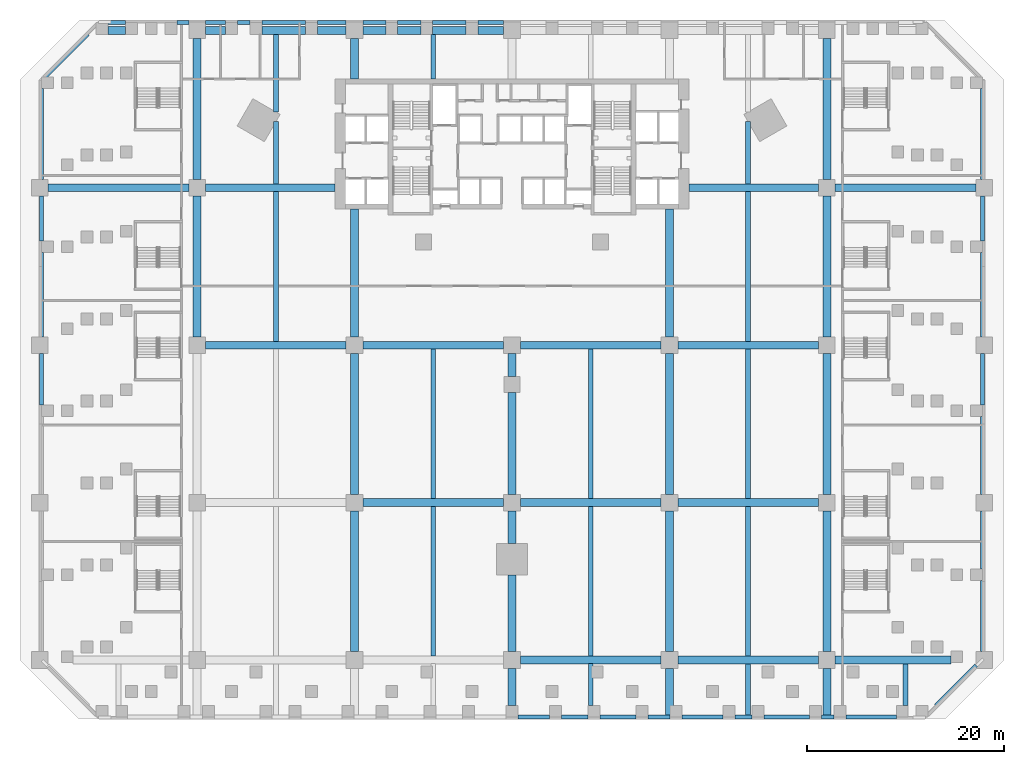
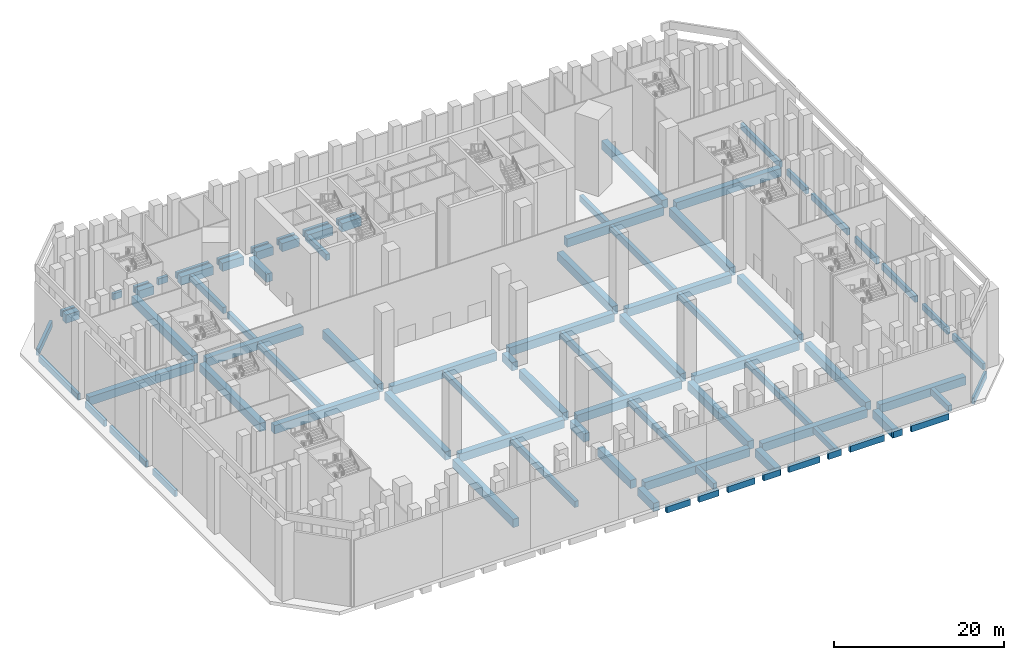
# One storey, part 2 of 31: 89 beams.
"""IFC4 building model written with IfcOpenShell, lengths in metres."""

import ifcopenshell
import ifcopenshell.guid

model = None  # the IFC model being written
_history = None  # IfcOwnerHistory: only IFC2X3 demands one
_inside = {}  # id of a spatial element -> (the spatial element, [elements in it])
_under = {}  # id of a project, library or spatial element -> (it, [spatial elements below it])
_declared = {}  # id of a project -> (the project, [libraries it declares])
_typed = {}  # id of a type object -> (the type object, [elements of that type])
_made_of = {}  # id of a material, layer set ... -> (it, [elements and type objects made of it])


def new_model(schema):
    """Start an empty IFC model of exactly this schema.

    Asked for "IFC4X3", IfcOpenShell would pick the latest addendum, in which some entities
    have other attributes; the version numbers below select the first issue.
    IFC2X3 requires an IfcOwnerHistory on every rooted entity: one is made here for all.
    """
    global model, _history
    if schema == "IFC4X3":
        model = ifcopenshell.file(schema_version=(4, 3, 0, 0))
    else:
        model = ifcopenshell.file(schema=schema)
    _inside.clear()
    _under.clear()
    _declared.clear()
    _typed.clear()
    _made_of.clear()
    _history = None
    if model.schema == "IFC2X3":
        org = make("IfcOrganization", Name="unknown")
        user = make(
            "IfcPersonAndOrganization",
            ThePerson=make("IfcPerson", FamilyName="unknown"),
            TheOrganization=org,
        )
        app = make(
            "IfcApplication",
            ApplicationDeveloper=org,
            Version="unknown",
            ApplicationFullName="unknown",
            ApplicationIdentifier="unknown",
        )
        _history = make(
            "IfcOwnerHistory",
            OwningUser=user,
            OwningApplication=app,
            ChangeAction="ADDED",
            CreationDate=0,
        )
    return model


def make(cls, **values):
    """One entity of the class cls with the attributes given. An attribute that is None is left unset."""
    return model.create_entity(
        cls, **{name: value for name, value in values.items() if value is not None}
    )


def rooted(cls, **values):
    """An entity with a GlobalId (a new one), such as an element, a storey or a relation."""
    return make(cls, GlobalId=ifcopenshell.guid.new(), OwnerHistory=_history, **values)


def si_unit(unit_type, name, prefix=None):
    """IfcSIUnit, for example si_unit("LENGTHUNIT", "METRE", prefix="MILLI")."""
    return make("IfcSIUnit", UnitType=unit_type, Prefix=prefix, Name=name)


def assignment(units):
    """IfcUnitAssignment: the units of a project."""
    return None if units is None else make("IfcUnitAssignment", Units=units)


def point(xyz):
    """IfcCartesianPoint."""
    return None if xyz is None else make("IfcCartesianPoint", Coordinates=xyz)


def direction(xyz):
    """IfcDirection."""
    return None if xyz is None else make("IfcDirection", DirectionRatios=xyz)


def frame(location, z_axis=None, x_axis=None):
    """IfcAxis2Placement3D, a coordinate frame: its origin and axes. An axis left out is left unset."""
    return make(
        "IfcAxis2Placement3D",
        Location=point(location),
        Axis=direction(z_axis),
        RefDirection=direction(x_axis),
    )


def frame_2d(location, x_axis=None):
    """IfcAxis2Placement2D, a coordinate frame in the plane: its origin and x axis."""
    return make(
        "IfcAxis2Placement2D", Location=point(location), RefDirection=direction(x_axis)
    )


def origin():
    """The frame at (0, 0, 0) with its axes left unset."""
    return frame((0.0, 0.0, 0.0))


def origin_2d():
    """The frame at (0, 0) in the plane with its x axis left unset."""
    return frame_2d((0.0, 0.0))


def place(relative_to, where):
    """IfcLocalPlacement: puts the frame where relative to a parent placement (None: the world)."""
    return make(
        "IfcLocalPlacement", PlacementRelTo=relative_to, RelativePlacement=where
    )


def context(
    kind, dimensions, precision=None, world=None, true_north=None, identifier=None
):
    """IfcGeometricRepresentationContext, for example the 3D "Model" context."""
    return make(
        "IfcGeometricRepresentationContext",
        ContextIdentifier=identifier,
        ContextType=kind,
        CoordinateSpaceDimension=dimensions,
        Precision=precision,
        WorldCoordinateSystem=world,
        TrueNorth=true_north,
    )


def subcontext(parent, identifier, kind, view, scale=None):
    """IfcGeometricRepresentationSubContext, for example "Body" below "Model"."""
    return make(
        "IfcGeometricRepresentationSubContext",
        ContextIdentifier=identifier,
        ContextType=kind,
        ParentContext=parent,
        TargetScale=scale,
        TargetView=view,
    )


def project(units=None, contexts=None):
    """IfcProject with its units and contexts."""
    return rooted(
        "IfcProject",
        Name="project",
        RepresentationContexts=contexts,
        UnitsInContext=assignment(units),
    )


def spatial(cls, under=None, at=None, **own):
    """A site, building, storey or space (cls), placed at a placement, below another one or the project."""
    s = rooted(cls, ObjectPlacement=at, **own)
    if under is not None:
        _under.setdefault(under.id(), (under, []))[1].append(s)
    return s


def profile(cls, at=None, kind="AREA", **sizes):
    """A parametric profile (cls). Its sizes go by their IFC names, for example OverallWidth=200.0."""
    return make(cls, ProfileType=kind, Position=at, **sizes)


def rectangle(**sizes):
    """IfcRectangleProfileDef."""
    return profile("IfcRectangleProfileDef", **sizes)


def extrude(swept, where, along, depth):
    """IfcExtrudedAreaSolid: the profile swept, set in the frame where, extruded along a direction by depth."""
    return make(
        "IfcExtrudedAreaSolid",
        SweptArea=swept,
        Position=where,
        ExtrudedDirection=direction(along),
        Depth=depth,
    )


def shape(context_of_items, identifier, shape_type, items):
    """IfcShapeRepresentation: the items that make up one representation, for example the "Body"."""
    return make(
        "IfcShapeRepresentation",
        ContextOfItems=context_of_items,
        RepresentationIdentifier=identifier,
        RepresentationType=shape_type,
        Items=items,
    )


def material(Name=None, Category=None):
    """IfcMaterial."""
    return make("IfcMaterial", Name=Name, Category=Category)


def material_profile(
    of_material, cross_section, Name=None, Category=None, Priority=None
):
    """IfcMaterialProfile: a cross section and its material."""
    return make(
        "IfcMaterialProfile",
        Name=Name,
        Material=of_material,
        Profile=cross_section,
        Priority=Priority,
        Category=Category,
    )


def profile_set(profiles, Name=None, composite=None):
    """IfcMaterialProfileSet."""
    return make(
        "IfcMaterialProfileSet",
        Name=Name,
        MaterialProfiles=profiles,
        CompositeProfile=composite,
    )


def made_of(thing, what):
    """Note that an element or type object is made of a material, layer set ...; save() writes the relation."""
    if what is not None:
        _made_of.setdefault(what.id(), (what, []))[1].append(thing)
    return thing


def type_object(cls, material=None, **own):
    """A type object (cls), such as IfcWallType, which elements share."""
    return made_of(rooted(cls, **own), material)


def element(
    cls,
    number,
    at=None,
    inside=None,
    cuts=None,
    type_object=None,
    material=None,
    context=None,
    identifier="Body",
    shape_type=None,
    held_by="IfcProductDefinitionShape",
    body=None,
    shapes=None,
    **own,
):
    """One element of the class cls, such as IfcWall. Its Tag is "e" and its number.

    at: its placement. inside: the storey or other place that contains it. cuts: it is an
    opening in that element (IfcRelVoidsElement). A single representation is given by context,
    identifier, shape_type and body (its items); several are given by shapes. held_by: the class
    of the entity that holds the representations. save() writes the other relations.
    """
    e = rooted(cls, Tag="e%d" % number, ObjectPlacement=at, **own)
    if body is not None:
        shapes = [shape(context, identifier, shape_type, body)]
    if shapes is not None:
        e.Representation = make(held_by, Representations=shapes)
    if inside is not None:
        _inside.setdefault(inside.id(), (inside, []))[1].append(e)
    if cuts is not None:
        rooted(
            "IfcRelVoidsElement", RelatingBuildingElement=cuts, RelatedOpeningElement=e
        )
    if type_object is not None:
        _typed.setdefault(type_object.id(), (type_object, []))[1].append(e)
    return made_of(e, material)


def aggregate(whole, parts):
    """IfcRelAggregates: a whole, such as a stair, and the parts it consists of."""
    return rooted("IfcRelAggregates", RelatingObject=whole, RelatedObjects=parts)


def save(model, path):
    """Write the relations noted so far, then the file.

    IfcRelAggregates (storeys below a building ...), IfcRelContainedInSpatialStructure (elements
    in a storey), IfcRelDefinesByType, IfcRelAssociatesMaterial and IfcRelDeclares: one each for
    every whole, place, type object, material and project.
    """
    for whole, parts in _under.values():
        aggregate(whole, parts)
    for where, things in _inside.values():
        rooted(
            "IfcRelContainedInSpatialStructure",
            RelatedElements=things,
            RelatingStructure=where,
        )
    for kind, things in _typed.values():
        rooted("IfcRelDefinesByType", RelatedObjects=things, RelatingType=kind)
    for what, things in _made_of.values():
        rooted("IfcRelAssociatesMaterial", RelatedObjects=things, RelatingMaterial=what)
    for by, libraries in _declared.values():
        rooted("IfcRelDeclares", RelatingContext=by, RelatedDefinitions=libraries)
    model.write(path)


model = new_model("IFC4")

# Units and contexts
model_context = context("Model", 3, precision=1e-05, world=origin(), true_north=direction((0.0, 1.0)))
body_context = subcontext(model_context, "Body", "Model", "MODEL_VIEW")
ifc_project = project(units=[si_unit("LENGTHUNIT", "METRE"), si_unit("AREAUNIT", "SQUARE_METRE"), si_unit("VOLUMEUNIT", "CUBIC_METRE"), si_unit("PLANEANGLEUNIT", "RADIAN"), si_unit("MASSUNIT", "GRAM", prefix="KILO")], contexts=[model_context])

# Site, building, storey
site_placement = place(None, origin())
site = spatial("IfcSite", under=ifc_project, at=site_placement, CompositionType="ELEMENT")
building_placement = place(site_placement, origin())
building = spatial("IfcBuilding", under=site, at=building_placement, Name="Calabash Gate Tower", CompositionType="ELEMENT")
storey_placement = place(building_placement, frame((0.0, 0.0, 9.0)))
storey = spatial("IfcBuildingStorey", under=building, at=storey_placement, Name="L01", CompositionType="ELEMENT", Elevation=9.0)

# Beams
ifc_material_1 = material(Name="Concrete C50/60", Category="concrete")
ifc_material_profile_1 = material_profile(ifc_material_1, rectangle(XDim=0.39990234375, YDim=0.89990234375, at=origin_2d()))
ifc_profile_set_1 = profile_set([ifc_material_profile_1], Name="Concrete C50/60")
beam_type_1 = type_object("IfcBeamType", Name="Edge beam RC 400x900 Concrete C50/60", PredefinedType="BEAM", material=ifc_profile_set_1)
beam_1_placement = place(storey_placement, frame((-47.800048828125, -14.06689453125, -0.949951171875), z_axis=(0.0, 1.0, 0.0), x_axis=(-1.0, 0.0, 0.0)))
element("IfcBeam", 1, at=beam_1_placement, inside=storey, type_object=beam_type_1, Name="Edge beam L01 5", PredefinedType="BEAM", context=body_context, shape_type="SweptSolid", body=[
    extrude(rectangle(XDim=0.39990234375, YDim=0.89990234375, at=origin_2d()), origin(), (0.0, 0.0, 1.0), 5.216796875),
])
beam_2_placement = place(storey_placement, frame((-47.800048828125, -7.14990234375, -0.949951171875), z_axis=(0.0, 1.0, 0.0), x_axis=(-1.0, 0.0, 0.0)))
element("IfcBeam", 2, at=beam_2_placement, inside=storey, type_object=beam_type_1, Name="Edge beam L01 6", PredefinedType="BEAM", context=body_context, shape_type="SweptSolid", body=[
    extrude(rectangle(XDim=0.39990234375, YDim=0.89990234375, at=origin_2d()), origin(), (0.0, 0.0, 1.0), 8.55078125),
])
beam_3_placement = place(storey_placement, frame((-47.800048828125, 2.60107421875, -0.949951171875), z_axis=(0.0, 1.0, 0.0), x_axis=(-1.0, 0.0, 0.0)))
element("IfcBeam", 3, at=beam_3_placement, inside=storey, type_object=beam_type_1, Name="Edge beam L01 7", PredefinedType="BEAM", context=body_context, shape_type="SweptSolid", body=[
    extrude(rectangle(XDim=0.39990234375, YDim=0.89990234375, at=origin_2d()), origin(), (0.0, 0.0, 1.0), 4.548828125),
])
beam_4_placement = place(storey_placement, frame((-47.800048828125, 8.85009765625, -0.949951171875), z_axis=(0.0, 1.0, 0.0), x_axis=(-1.0, 0.0, 0.0)))
element("IfcBeam", 4, at=beam_4_placement, inside=storey, type_object=beam_type_1, Name="Edge beam L01 8", PredefinedType="BEAM", context=body_context, shape_type="SweptSolid", body=[
    extrude(rectangle(XDim=0.39990234375, YDim=0.89990234375, at=origin_2d()), origin(), (0.0, 0.0, 1.0), 9.218994140625),
])
beam_5_placement = place(storey_placement, frame((-47.464111328125, 19.2529296875, -0.949951171875), z_axis=(0.707185774291, 0.707027779257, 0.0), x_axis=(-0.707027779257, 0.707185774291, 0.0)))
element("IfcBeam", 5, at=beam_5_placement, inside=storey, type_object=beam_type_1, Name="Edge beam L01 9", PredefinedType="BEAM", context=body_context, shape_type="SweptSolid", body=[
    extrude(rectangle(XDim=0.39990234375, YDim=0.89990234375, at=origin_2d()), origin(), (0.0, 0.0, 1.0), 6.180908203125),
])
beam_6_placement = place(storey_placement, frame((-41.069091796875, 24.800048828125, -0.949951171875), z_axis=(1.0, 0.0, 0.0), x_axis=(0.0, 1.0, 0.0)))
element("IfcBeam", 6, at=beam_6_placement, inside=storey, type_object=beam_type_1, Name="Edge beam L01 10", PredefinedType="BEAM", context=body_context, shape_type="SweptSolid", body=[
    extrude(rectangle(XDim=0.39990234375, YDim=0.89990234375, at=origin_2d()), origin(), (0.0, 0.0, 1.0), 1.800048828125),
])
beam_7_placement = place(storey_placement, frame((-34.069091796875, 24.800048828125, -0.949951171875), z_axis=(1.0, 0.0, 0.0), x_axis=(0.0, 1.0, 0.0)))
element("IfcBeam", 7, at=beam_7_placement, inside=storey, type_object=beam_type_1, Name="Edge beam L01 11", PredefinedType="BEAM", context=body_context, shape_type="SweptSolid", body=[
    extrude(rectangle(XDim=0.39990234375, YDim=0.89990234375, at=origin_2d()), origin(), (0.0, 0.0, 1.0), 1.218994140625),
])
beam_8_placement = place(storey_placement, frame((-31.14990234375, 24.800048828125, -0.949951171875), z_axis=(1.0, 0.0, 0.0), x_axis=(0.0, 1.0, 0.0)))
element("IfcBeam", 8, at=beam_8_placement, inside=storey, type_object=beam_type_1, Name="Edge beam L01 12", PredefinedType="BEAM", context=body_context, shape_type="SweptSolid", body=[
    extrude(rectangle(XDim=0.39990234375, YDim=0.89990234375, at=origin_2d()), origin(), (0.0, 0.0, 1.0), 2.02978515625),
])
beam_9_placement = place(storey_placement, frame((-27.919921875, 24.800048828125, -0.949951171875), z_axis=(1.0, 0.0, 0.0), x_axis=(0.0, 1.0, 0.0)))
element("IfcBeam", 9, at=beam_9_placement, inside=storey, type_object=beam_type_1, Name="Edge beam L01 13", PredefinedType="BEAM", context=body_context, shape_type="SweptSolid", body=[
    extrude(rectangle(XDim=0.39990234375, YDim=0.89990234375, at=origin_2d()), origin(), (0.0, 0.0, 1.0), 1.31787109375),
])
beam_10_placement = place(storey_placement, frame((-25.40087890625, 24.800048828125, -0.949951171875), z_axis=(1.0, 0.0, 0.0), x_axis=(0.0, 1.0, 0.0)))
element("IfcBeam", 10, at=beam_10_placement, inside=storey, type_object=beam_type_1, Name="Edge beam L01 14", PredefinedType="BEAM", context=body_context, shape_type="SweptSolid", body=[
    extrude(rectangle(XDim=0.39990234375, YDim=0.89990234375, at=origin_2d()), origin(), (0.0, 0.0, 1.0), 4.428955078125),
])
beam_11_placement = place(storey_placement, frame((-19.77099609375, 24.800048828125, -0.949951171875), z_axis=(1.0, 0.0, 0.0), x_axis=(0.0, 1.0, 0.0)))
element("IfcBeam", 11, at=beam_11_placement, inside=storey, type_object=beam_type_1, Name="Edge beam L01 15", PredefinedType="BEAM", context=body_context, shape_type="SweptSolid", body=[
    extrude(rectangle(XDim=0.39990234375, YDim=0.89990234375, at=origin_2d()), origin(), (0.0, 0.0, 1.0), 2.9208984375),
])
beam_12_placement = place(storey_placement, frame((-15.14990234375, 24.800048828125, -0.949951171875), z_axis=(1.0, 0.0, 0.0), x_axis=(0.0, 1.0, 0.0)))
element("IfcBeam", 12, at=beam_12_placement, inside=storey, type_object=beam_type_1, Name="Edge beam L01 16", PredefinedType="BEAM", context=body_context, shape_type="SweptSolid", body=[
    extrude(rectangle(XDim=0.39990234375, YDim=0.89990234375, at=origin_2d()), origin(), (0.0, 0.0, 1.0), 2.326904296875),
])
beam_13_placement = place(storey_placement, frame((-11.623046875, 24.800048828125, -0.949951171875), z_axis=(1.0, 0.0, 0.0), x_axis=(0.0, 1.0, 0.0)))
element("IfcBeam", 13, at=beam_13_placement, inside=storey, type_object=beam_type_1, Name="Edge beam L01 17", PredefinedType="BEAM", context=body_context, shape_type="SweptSolid", body=[
    extrude(rectangle(XDim=0.39990234375, YDim=0.89990234375, at=origin_2d()), origin(), (0.0, 0.0, 1.0), 2.35595703125),
])
beam_14_placement = place(storey_placement, frame((-8.06689453125, 24.800048828125, -0.949951171875), z_axis=(1.0, 0.0, 0.0), x_axis=(0.0, 1.0, 0.0)))
element("IfcBeam", 14, at=beam_14_placement, inside=storey, type_object=beam_type_1, Name="Edge beam L01 18", PredefinedType="BEAM", context=body_context, shape_type="SweptSolid", body=[
    extrude(rectangle(XDim=0.39990234375, YDim=0.89990234375, at=origin_2d()), origin(), (0.0, 0.0, 1.0), 3.392822265625),
])
beam_15_placement = place(storey_placement, frame((-3.47412109375, 24.800048828125, -0.949951171875), z_axis=(1.0, 0.0, 0.0), x_axis=(0.0, 1.0, 0.0)))
element("IfcBeam", 15, at=beam_15_placement, inside=storey, type_object=beam_type_1, Name="Edge beam L01 19", PredefinedType="BEAM", context=body_context, shape_type="SweptSolid", body=[
    extrude(rectangle(XDim=0.39990234375, YDim=0.89990234375, at=origin_2d()), origin(), (0.0, 0.0, 1.0), 2.6240234375),
])
beam_16_placement = place(storey_placement, frame((47.800048828125, 18.069091796875, -0.949951171875), z_axis=(0.0, -1.0, 0.0), x_axis=(1.0, 0.0, 0.0)))
element("IfcBeam", 16, at=beam_16_placement, inside=storey, type_object=beam_type_1, Name="Edge beam L01 31", PredefinedType="BEAM", context=body_context, shape_type="SweptSolid", body=[
    extrude(rectangle(XDim=0.39990234375, YDim=0.89990234375, at=origin_2d()), origin(), (0.0, 0.0, 1.0), 9.218994140625),
])
beam_17_placement = place(storey_placement, frame((47.800048828125, 7.14990234375, -0.949951171875), z_axis=(0.0, -1.0, 0.0), x_axis=(1.0, 0.0, 0.0)))
element("IfcBeam", 17, at=beam_17_placement, inside=storey, type_object=beam_type_1, Name="Edge beam L01 32", PredefinedType="BEAM", context=body_context, shape_type="SweptSolid", body=[
    extrude(rectangle(XDim=0.39990234375, YDim=0.89990234375, at=origin_2d()), origin(), (0.0, 0.0, 1.0), 4.548828125),
])
beam_18_placement = place(storey_placement, frame((47.800048828125, 1.40087890625, -0.949951171875), z_axis=(0.0, -1.0, 0.0), x_axis=(1.0, 0.0, 0.0)))
element("IfcBeam", 18, at=beam_18_placement, inside=storey, type_object=beam_type_1, Name="Edge beam L01 33", PredefinedType="BEAM", context=body_context, shape_type="SweptSolid", body=[
    extrude(rectangle(XDim=0.39990234375, YDim=0.89990234375, at=origin_2d()), origin(), (0.0, 0.0, 1.0), 8.55078125),
])
beam_19_placement = place(storey_placement, frame((47.800048828125, -8.85009765625, -0.949951171875), z_axis=(0.0, -1.0, 0.0), x_axis=(1.0, 0.0, 0.0)))
element("IfcBeam", 19, at=beam_19_placement, inside=storey, type_object=beam_type_1, Name="Edge beam L01 34", PredefinedType="BEAM", context=body_context, shape_type="SweptSolid", body=[
    extrude(rectangle(XDim=0.39990234375, YDim=0.89990234375, at=origin_2d()), origin(), (0.0, 0.0, 1.0), 5.216796875),
])
beam_20_placement = place(storey_placement, frame((47.800048828125, -15.26708984375, -0.949951171875), z_axis=(0.0, -1.0, 0.0), x_axis=(1.0, 0.0, 0.0)))
element("IfcBeam", 20, at=beam_20_placement, inside=storey, type_object=beam_type_1, Name="Edge beam L01 35", PredefinedType="BEAM", context=body_context, shape_type="SweptSolid", body=[
    extrude(rectangle(XDim=0.39990234375, YDim=0.89990234375, at=origin_2d()), origin(), (0.0, 0.0, 1.0), 7.8828125),
])
beam_21_placement = place(storey_placement, frame((47.800048828125, -24.85009765625, -0.949951171875), z_axis=(0.0, -1.0, 0.0), x_axis=(1.0, 0.0, 0.0)))
element("IfcBeam", 21, at=beam_21_placement, inside=storey, type_object=beam_type_1, Name="Edge beam L01 36", PredefinedType="BEAM", context=body_context, shape_type="SweptSolid", body=[
    extrude(rectangle(XDim=0.39990234375, YDim=0.89990234375, at=origin_2d()), origin(), (0.0, 0.0, 1.0), 5.8828125),
])
beam_22_placement = place(storey_placement, frame((47.800048828125, -31.93310546875, -0.949951171875), z_axis=(0.0, -1.0, 0.0), x_axis=(1.0, 0.0, 0.0)))
element("IfcBeam", 22, at=beam_22_placement, inside=storey, type_object=beam_type_1, Name="Edge beam L01 37", PredefinedType="BEAM", context=body_context, shape_type="SweptSolid", body=[
    extrude(rectangle(XDim=0.39990234375, YDim=0.89990234375, at=origin_2d()), origin(), (0.0, 0.0, 1.0), 7.216796875),
])
beam_23_placement = place(storey_placement, frame((47.173095703125, -40.54296875, -0.949951171875), z_axis=(-0.706768047457, -0.707445352726, 0.0), x_axis=(0.707445352726, -0.706768047457, 0.0)))
element("IfcBeam", 23, at=beam_23_placement, inside=storey, type_object=beam_type_1, Name="Edge beam L01 38", PredefinedType="BEAM", context=body_context, shape_type="SweptSolid", body=[
    extrude(rectangle(XDim=0.39990234375, YDim=0.89990234375, at=origin_2d()), origin(), (0.0, 0.0, 1.0), 5.767333984375),
])
beam_24_placement = place(storey_placement, frame((39.069091796875, -45.800048828125, -0.949951171875), z_axis=(-1.0, 0.0, 0.0), x_axis=(0.0, -1.0, 0.0)))
element("IfcBeam", 24, at=beam_24_placement, inside=storey, type_object=beam_type_1, Name="Edge beam L01 39", PredefinedType="BEAM", context=body_context, shape_type="SweptSolid", body=[
    extrude(rectangle(XDim=0.39990234375, YDim=0.89990234375, at=origin_2d()), origin(), (0.0, 0.0, 1.0), 5.132080078125),
])
beam_25_placement = place(storey_placement, frame((32.737060546875, -45.800048828125, -0.949951171875), z_axis=(-1.0, 0.0, 0.0), x_axis=(0.0, -1.0, 0.0)))
element("IfcBeam", 25, at=beam_25_placement, inside=storey, type_object=beam_type_1, Name="Edge beam L01 40", PredefinedType="BEAM", context=body_context, shape_type="SweptSolid", body=[
    extrude(rectangle(XDim=0.39990234375, YDim=0.89990234375, at=origin_2d()), origin(), (0.0, 0.0, 1.0), 1.2841796875),
])
beam_26_placement = place(storey_placement, frame((30.2529296875, -45.800048828125, -0.949951171875), z_axis=(-1.0, 0.0, 0.0), x_axis=(0.0, -1.0, 0.0)))
element("IfcBeam", 26, at=beam_26_placement, inside=storey, type_object=beam_type_1, Name="Edge beam L01 41", PredefinedType="BEAM", context=body_context, shape_type="SweptSolid", body=[
    extrude(rectangle(XDim=0.39990234375, YDim=0.89990234375, at=origin_2d()), origin(), (0.0, 0.0, 1.0), 4.65185546875),
])
beam_27_placement = place(storey_placement, frame((24.40087890625, -45.800048828125, -0.949951171875), z_axis=(-1.0, 0.0, 0.0), x_axis=(0.0, -1.0, 0.0)))
element("IfcBeam", 27, at=beam_27_placement, inside=storey, type_object=beam_type_1, Name="Edge beam L01 42", PredefinedType="BEAM", context=body_context, shape_type="SweptSolid", body=[
    extrude(rectangle(XDim=0.39990234375, YDim=0.89990234375, at=origin_2d()), origin(), (0.0, 0.0, 1.0), 1.762939453125),
])
beam_28_placement = place(storey_placement, frame((21.43798828125, -45.800048828125, -0.949951171875), z_axis=(-1.0, 0.0, 0.0), x_axis=(0.0, -1.0, 0.0)))
element("IfcBeam", 28, at=beam_28_placement, inside=storey, type_object=beam_type_1, Name="Edge beam L01 43", PredefinedType="BEAM", context=body_context, shape_type="SweptSolid", body=[
    extrude(rectangle(XDim=0.39990234375, YDim=0.89990234375, at=origin_2d()), origin(), (0.0, 0.0, 1.0), 4.169921875),
])
beam_29_placement = place(storey_placement, frame((16.06689453125, -45.800048828125, -0.949951171875), z_axis=(-1.0, 0.0, 0.0), x_axis=(0.0, -1.0, 0.0)))
element("IfcBeam", 29, at=beam_29_placement, inside=storey, type_object=beam_type_1, Name="Edge beam L01 44", PredefinedType="BEAM", context=body_context, shape_type="SweptSolid", body=[
    extrude(rectangle(XDim=0.39990234375, YDim=0.89990234375, at=origin_2d()), origin(), (0.0, 0.0, 1.0), 2.243896484375),
])
beam_30_placement = place(storey_placement, frame((12.623046875, -45.800048828125, -0.949951171875), z_axis=(-1.0, 0.0, 0.0), x_axis=(0.0, -1.0, 0.0)))
element("IfcBeam", 30, at=beam_30_placement, inside=storey, type_object=beam_type_1, Name="Edge beam L01 45", PredefinedType="BEAM", context=body_context, shape_type="SweptSolid", body=[
    extrude(rectangle(XDim=0.39990234375, YDim=0.89990234375, at=origin_2d()), origin(), (0.0, 0.0, 1.0), 3.68896484375),
])
beam_31_placement = place(storey_placement, frame((7.73388671875, -45.800048828125, -0.949951171875), z_axis=(-1.0, 0.0, 0.0), x_axis=(0.0, -1.0, 0.0)))
element("IfcBeam", 31, at=beam_31_placement, inside=storey, type_object=beam_type_1, Name="Edge beam L01 46", PredefinedType="BEAM", context=body_context, shape_type="SweptSolid", body=[
    extrude(rectangle(XDim=0.39990234375, YDim=0.89990234375, at=origin_2d()), origin(), (0.0, 0.0, 1.0), 2.725830078125),
])
beam_32_placement = place(storey_placement, frame((3.80810546875, -45.800048828125, -0.949951171875), z_axis=(-1.0, 0.0, 0.0), x_axis=(0.0, -1.0, 0.0)))
element("IfcBeam", 32, at=beam_32_placement, inside=storey, type_object=beam_type_1, Name="Edge beam L01 47", PredefinedType="BEAM", context=body_context, shape_type="SweptSolid", body=[
    extrude(rectangle(XDim=0.39990234375, YDim=0.89990234375, at=origin_2d()), origin(), (0.0, 0.0, 1.0), 3.2080078125),
])
ifc_material_2 = material(Name="Concrete C50/60", Category="concrete")
ifc_material_profile_2 = material_profile(ifc_material_2, rectangle(XDim=0.5, YDim=0.89990234375, at=origin_2d()))
ifc_profile_set_2 = profile_set([ifc_material_profile_2], Name="Concrete C50/60")
beam_type_2 = type_object("IfcBeamType", Name="Floor beam RC 500x900 Concrete C50/60", PredefinedType="BEAM", material=ifc_profile_set_2)
beam_33_placement = place(storey_placement, frame((-24.0, -7.60009765625, -0.949951171875), z_axis=(0.0, 1.0, 0.0), x_axis=(-1.0, 0.0, 0.0)))
element("IfcBeam", 33, at=beam_33_placement, inside=storey, type_object=beam_type_2, Name="Floor beam L01 5", PredefinedType="BEAM", context=body_context, shape_type="SweptSolid", body=[
    extrude(rectangle(XDim=0.5, YDim=0.89990234375, at=origin_2d()), origin(), (0.0, 0.0, 1.0), 15.2001953125),
])
beam_34_placement = place(storey_placement, frame((-24.0, 8.39990234375, -0.949951171875), z_axis=(0.0, 1.0, 0.0), x_axis=(-1.0, 0.0, 0.0)))
element("IfcBeam", 34, at=beam_34_placement, inside=storey, type_object=beam_type_2, Name="Floor beam L01 6", PredefinedType="BEAM", context=body_context, shape_type="SweptSolid", body=[
    extrude(rectangle(XDim=0.5, YDim=0.89990234375, at=origin_2d()), origin(), (0.0, 0.0, 1.0), 6.319091796875),
])
beam_35_placement = place(storey_placement, frame((-24.0, 15.681884765625, -0.949951171875), z_axis=(0.0, 1.0, 0.0), x_axis=(-1.0, 0.0, 0.0)))
element("IfcBeam", 35, at=beam_35_placement, inside=storey, type_object=beam_type_2, Name="Floor beam L01 7", PredefinedType="BEAM", context=body_context, shape_type="SweptSolid", body=[
    extrude(rectangle(XDim=0.5, YDim=0.89990234375, at=origin_2d()), origin(), (0.0, 0.0, 1.0), 7.918212890625),
])
for number, where, z_axis, x_axis, name in (
    (36, (-8.0, -39.60009765625, -0.949951171875), (0.0, 1.0, 0.0), (-1.0, 0.0, 0.0), "Floor beam L01 9"),
    (37, (-8.0, -23.60009765625, -0.949951171875), (0.0, 1.0, 0.0), (-1.0, 0.0, 0.0), "Floor beam L01 10"),
):
    element("IfcBeam", number, at=place(storey_placement, frame(where, z_axis=z_axis, x_axis=x_axis)), inside=storey, type_object=beam_type_2, Name=name, PredefinedType="BEAM", context=body_context, shape_type="SweptSolid", body=[
        extrude(rectangle(XDim=0.5, YDim=0.89990234375, at=origin_2d()), origin(), (0.0, 0.0, 1.0), 15.2001953125),
    ])
beam_36_placement = place(storey_placement, frame((-8.0, 19.052978515625, -0.949951171875), z_axis=(0.0, 1.0, 0.0), x_axis=(-1.0, 0.0, 0.0)))
element("IfcBeam", 38, at=beam_36_placement, inside=storey, type_object=beam_type_2, Name="Floor beam L01 11", PredefinedType="BEAM", context=body_context, shape_type="SweptSolid", body=[
    extrude(rectangle(XDim=0.5, YDim=0.89990234375, at=origin_2d()), origin(), (0.0, 0.0, 1.0), 4.547119140625),
])
beam_37_placement = place(storey_placement, frame((8.0, -44.60009765625, -0.949951171875), z_axis=(0.0, 1.0, 0.0), x_axis=(-1.0, 0.0, 0.0)))
element("IfcBeam", 39, at=beam_37_placement, inside=storey, type_object=beam_type_2, Name="Floor beam L01 12", PredefinedType="BEAM", context=body_context, shape_type="SweptSolid", body=[
    extrude(rectangle(XDim=0.5, YDim=0.89990234375, at=origin_2d()), origin(), (0.0, 0.0, 1.0), 4.232177734375),
])
for number, where, z_axis, x_axis, name in (
    (40, (8.0, -39.60009765625, -0.949951171875), (0.0, 1.0, 0.0), (-1.0, 0.0, 0.0), "Floor beam L01 13"),
    (41, (8.0, -23.60009765625, -0.949951171875), (0.0, 1.0, 0.0), (-1.0, 0.0, 0.0), "Floor beam L01 14"),
):
    element("IfcBeam", number, at=place(storey_placement, frame(where, z_axis=z_axis, x_axis=x_axis)), inside=storey, type_object=beam_type_2, Name=name, PredefinedType="BEAM", context=body_context, shape_type="SweptSolid", body=[
        extrude(rectangle(XDim=0.5, YDim=0.89990234375, at=origin_2d()), origin(), (0.0, 0.0, 1.0), 15.2001953125),
    ])
beam_38_placement = place(storey_placement, frame((24.0, -45.60009765625, -0.949951171875), z_axis=(0.0, 1.0, 0.0), x_axis=(-1.0, 0.0, 0.0)))
element("IfcBeam", 42, at=beam_38_placement, inside=storey, type_object=beam_type_2, Name="Floor beam L01 16", PredefinedType="BEAM", context=body_context, shape_type="SweptSolid", body=[
    extrude(rectangle(XDim=0.5, YDim=0.89990234375, at=origin_2d()), origin(), (0.0, 0.0, 1.0), 5.2001953125),
])
for number, where, z_axis, x_axis, name in (
    (43, (24.0, -39.60009765625, -0.949951171875), (0.0, 1.0, 0.0), (-1.0, 0.0, 0.0), "Floor beam L01 17"),
    (44, (24.0, -23.60009765625, -0.949951171875), (0.0, 1.0, 0.0), (-1.0, 0.0, 0.0), "Floor beam L01 18"),
    (45, (24.0, -7.60009765625, -0.949951171875), (0.0, 1.0, 0.0), (-1.0, 0.0, 0.0), "Floor beam L01 19"),
):
    element("IfcBeam", number, at=place(storey_placement, frame(where, z_axis=z_axis, x_axis=x_axis)), inside=storey, type_object=beam_type_2, Name=name, PredefinedType="BEAM", context=body_context, shape_type="SweptSolid", body=[
        extrude(rectangle(XDim=0.5, YDim=0.89990234375, at=origin_2d()), origin(), (0.0, 0.0, 1.0), 15.2001953125),
    ])
beam_39_placement = place(storey_placement, frame((24.0, 8.39990234375, -0.949951171875), z_axis=(0.0, 1.0, 0.0), x_axis=(-1.0, 0.0, 0.0)))
element("IfcBeam", 46, at=beam_39_placement, inside=storey, type_object=beam_type_2, Name="Floor beam L01 20", PredefinedType="BEAM", context=body_context, shape_type="SweptSolid", body=[
    extrude(rectangle(XDim=0.5, YDim=0.89990234375, at=origin_2d()), origin(), (0.0, 0.0, 1.0), 6.319091796875),
])
beam_40_placement = place(storey_placement, frame((40.0, -44.60009765625, -0.949951171875), z_axis=(0.0, 1.0, 0.0), x_axis=(-1.0, 0.0, 0.0)))
element("IfcBeam", 47, at=beam_40_placement, inside=storey, type_object=beam_type_2, Name="Floor beam L01 22", PredefinedType="BEAM", context=body_context, shape_type="SweptSolid", body=[
    extrude(rectangle(XDim=0.5, YDim=0.89990234375, at=origin_2d()), origin(), (0.0, 0.0, 1.0), 4.2001953125),
])
ifc_material_3 = material(Name="Concrete C50/60", Category="concrete")
ifc_material_profile_3 = material_profile(ifc_material_3, rectangle(XDim=0.800048828125, YDim=1.199951171875, at=origin_2d()))
ifc_profile_set_3 = profile_set([ifc_material_profile_3], Name="Concrete C50/60")
beam_type_3 = type_object("IfcBeamType", Name="Grid girder RC 800x1200 Concrete C50/60", PredefinedType="BEAM", material=ifc_profile_set_3)
for number, where, z_axis, x_axis, name in (
    (48, (-32.0, -7.14990234375, -1.10009765625), (0.0, 1.0, 0.0), (-1.0, 0.0, 0.0), "Grid girder L01 4"),
    (49, (-32.0, 8.85009765625, -1.10009765625), (0.0, 1.0, 0.0), (-1.0, 0.0, 0.0), "Grid girder L01 5"),
    (50, (-16.0, -39.14990234375, -1.10009765625), (0.0, 1.0, 0.0), (-1.0, 0.0, 0.0), "Grid girder L01 7"),
    (51, (-16.0, -23.14990234375, -1.10009765625), (0.0, 1.0, 0.0), (-1.0, 0.0, 0.0), "Grid girder L01 8"),
):
    element("IfcBeam", number, at=place(storey_placement, frame(where, z_axis=z_axis, x_axis=x_axis)), inside=storey, type_object=beam_type_3, Name=name, PredefinedType="BEAM", context=body_context, shape_type="SweptSolid", body=[
        extrude(rectangle(XDim=0.800048828125, YDim=1.199951171875, at=origin_2d()), origin(), (0.0, 0.0, 1.0), 14.2998046875),
    ])
beam_41_placement = place(storey_placement, frame((-16.0, -7.14990234375, -1.10009765625), z_axis=(0.0, 1.0, 0.0), x_axis=(-1.0, 0.0, 0.0)))
element("IfcBeam", 52, at=beam_41_placement, inside=storey, type_object=beam_type_3, Name="Grid girder L01 9", PredefinedType="BEAM", context=body_context, shape_type="SweptSolid", body=[
    extrude(rectangle(XDim=0.800048828125, YDim=1.199951171875, at=origin_2d()), origin(), (0.0, 0.0, 1.0), 13.0029296875),
])
beam_42_placement = place(storey_placement, frame((-16.0, 19.052978515625, -1.10009765625), z_axis=(0.0, 1.0, 0.0), x_axis=(-1.0, 0.0, 0.0)))
element("IfcBeam", 53, at=beam_42_placement, inside=storey, type_object=beam_type_3, Name="Grid girder L01 10", PredefinedType="BEAM", context=body_context, shape_type="SweptSolid", body=[
    extrude(rectangle(XDim=0.800048828125, YDim=1.199951171875, at=origin_2d()), origin(), (0.0, 0.0, 1.0), 4.096923828125),
])
beam_43_placement = place(storey_placement, frame((0.0, -44.60009765625, -1.10009765625), z_axis=(0.0, 1.0, 0.0), x_axis=(-1.0, 0.0, 0.0)))
element("IfcBeam", 54, at=beam_43_placement, inside=storey, type_object=beam_type_3, Name="Grid girder L01 11", PredefinedType="BEAM", context=body_context, shape_type="SweptSolid", body=[
    extrude(rectangle(XDim=0.800048828125, YDim=1.199951171875, at=origin_2d()), origin(), (0.0, 0.0, 1.0), 3.75),
])
beam_44_placement = place(storey_placement, frame((0.0, -39.14990234375, -1.10009765625), z_axis=(0.0, 1.0, 0.0), x_axis=(-1.0, 0.0, 0.0)))
element("IfcBeam", 55, at=beam_44_placement, inside=storey, type_object=beam_type_3, Name="Grid girder L01 12", PredefinedType="BEAM", context=body_context, shape_type="SweptSolid", body=[
    extrude(rectangle(XDim=0.800048828125, YDim=1.199951171875, at=origin_2d()), origin(), (0.0, 0.0, 1.0), 7.81689453125),
])
beam_45_placement = place(storey_placement, frame((0.0, -28.133056640625, -1.10009765625), z_axis=(0.0, 1.0, 0.0), x_axis=(-1.0, 0.0, 0.0)))
element("IfcBeam", 56, at=beam_45_placement, inside=storey, type_object=beam_type_3, Name="Grid girder L01 13", PredefinedType="BEAM", context=body_context, shape_type="SweptSolid", body=[
    extrude(rectangle(XDim=0.800048828125, YDim=1.199951171875, at=origin_2d()), origin(), (0.0, 0.0, 1.0), 3.282958984375),
])
beam_46_placement = place(storey_placement, frame((0.0, -23.14990234375, -1.10009765625), z_axis=(0.0, 1.0, 0.0), x_axis=(-1.0, 0.0, 0.0)))
element("IfcBeam", 57, at=beam_46_placement, inside=storey, type_object=beam_type_3, Name="Grid girder L01 14", PredefinedType="BEAM", context=body_context, shape_type="SweptSolid", body=[
    extrude(rectangle(XDim=0.800048828125, YDim=1.199951171875, at=origin_2d()), origin(), (0.0, 0.0, 1.0), 10.349853515625),
])
beam_47_placement = place(storey_placement, frame((0.0, -11.199951171875, -1.10009765625), z_axis=(0.0, 1.0, 0.0), x_axis=(-1.0, 0.0, 0.0)))
element("IfcBeam", 58, at=beam_47_placement, inside=storey, type_object=beam_type_3, Name="Grid girder L01 15", PredefinedType="BEAM", context=body_context, shape_type="SweptSolid", body=[
    extrude(rectangle(XDim=0.800048828125, YDim=1.199951171875, at=origin_2d()), origin(), (0.0, 0.0, 1.0), 2.349853515625),
])
beam_48_placement = place(storey_placement, frame((16.0, -45.632080078125, -1.10009765625), z_axis=(0.0, 1.0, 0.0), x_axis=(-1.0, 0.0, 0.0)))
element("IfcBeam", 59, at=beam_48_placement, inside=storey, type_object=beam_type_3, Name="Grid girder L01 17", PredefinedType="BEAM", context=body_context, shape_type="SweptSolid", body=[
    extrude(rectangle(XDim=0.800048828125, YDim=1.199951171875, at=origin_2d()), origin(), (0.0, 0.0, 1.0), 4.781982421875),
])
for number, where, z_axis, x_axis, name in (
    (60, (16.0, -39.14990234375, -1.10009765625), (0.0, 1.0, 0.0), (-1.0, 0.0, 0.0), "Grid girder L01 18"),
    (61, (16.0, -23.14990234375, -1.10009765625), (0.0, 1.0, 0.0), (-1.0, 0.0, 0.0), "Grid girder L01 19"),
):
    element("IfcBeam", number, at=place(storey_placement, frame(where, z_axis=z_axis, x_axis=x_axis)), inside=storey, type_object=beam_type_3, Name=name, PredefinedType="BEAM", context=body_context, shape_type="SweptSolid", body=[
        extrude(rectangle(XDim=0.800048828125, YDim=1.199951171875, at=origin_2d()), origin(), (0.0, 0.0, 1.0), 14.2998046875),
    ])
beam_49_placement = place(storey_placement, frame((16.0, -7.14990234375, -1.10009765625), z_axis=(0.0, 1.0, 0.0), x_axis=(-1.0, 0.0, 0.0)))
element("IfcBeam", 62, at=beam_49_placement, inside=storey, type_object=beam_type_3, Name="Grid girder L01 20", PredefinedType="BEAM", context=body_context, shape_type="SweptSolid", body=[
    extrude(rectangle(XDim=0.800048828125, YDim=1.199951171875, at=origin_2d()), origin(), (0.0, 0.0, 1.0), 13.0029296875),
])
beam_50_placement = place(storey_placement, frame((32.0, -45.60009765625, -1.10009765625), z_axis=(0.0, 1.0, 0.0), x_axis=(-1.0, 0.0, 0.0)))
element("IfcBeam", 63, at=beam_50_placement, inside=storey, type_object=beam_type_3, Name="Grid girder L01 22", PredefinedType="BEAM", context=body_context, shape_type="SweptSolid", body=[
    extrude(rectangle(XDim=0.800048828125, YDim=1.199951171875, at=origin_2d()), origin(), (0.0, 0.0, 1.0), 4.75),
])
for number, where, z_axis, x_axis, name in (
    (64, (32.0, -39.14990234375, -1.10009765625), (0.0, 1.0, 0.0), (-1.0, 0.0, 0.0), "Grid girder L01 23"),
    (65, (32.0, -23.14990234375, -1.10009765625), (0.0, 1.0, 0.0), (-1.0, 0.0, 0.0), "Grid girder L01 24"),
    (66, (32.0, -7.14990234375, -1.10009765625), (0.0, 1.0, 0.0), (-1.0, 0.0, 0.0), "Grid girder L01 25"),
    (67, (32.0, 8.85009765625, -1.10009765625), (0.0, 1.0, 0.0), (-1.0, 0.0, 0.0), "Grid girder L01 26"),
    (68, (0.85009765625, -40.0, -1.10009765625), (1.0, 0.0, 0.0), (0.0, 1.0, 0.0), "Grid girder L01 30"),
    (69, (16.85009765625, -40.0, -1.10009765625), (1.0, 0.0, 0.0), (0.0, 1.0, 0.0), "Grid girder L01 31"),
):
    element("IfcBeam", number, at=place(storey_placement, frame(where, z_axis=z_axis, x_axis=x_axis)), inside=storey, type_object=beam_type_3, Name=name, PredefinedType="BEAM", context=body_context, shape_type="SweptSolid", body=[
        extrude(rectangle(XDim=0.800048828125, YDim=1.199951171875, at=origin_2d()), origin(), (0.0, 0.0, 1.0), 14.2998046875),
    ])
beam_51_placement = place(storey_placement, frame((32.85009765625, -40.0, -1.10009765625), z_axis=(1.0, 0.0, 0.0), x_axis=(0.0, 1.0, 0.0)))
element("IfcBeam", 70, at=beam_51_placement, inside=storey, type_object=beam_type_3, Name="Grid girder L01 32", PredefinedType="BEAM", context=body_context, shape_type="SweptSolid", body=[
    extrude(rectangle(XDim=0.800048828125, YDim=1.199951171875, at=origin_2d()), origin(), (0.0, 0.0, 1.0), 11.75),
])
for number, where, z_axis, x_axis, name in (
    (71, (-15.14990234375, -24.0, -1.10009765625), (1.0, 0.0, 0.0), (0.0, 1.0, 0.0), "Grid girder L01 34"),
    (72, (0.85009765625, -24.0, -1.10009765625), (1.0, 0.0, 0.0), (0.0, 1.0, 0.0), "Grid girder L01 35"),
    (73, (16.85009765625, -24.0, -1.10009765625), (1.0, 0.0, 0.0), (0.0, 1.0, 0.0), "Grid girder L01 36"),
    (74, (-31.14990234375, -8.0, -1.10009765625), (1.0, 0.0, 0.0), (0.0, 1.0, 0.0), "Grid girder L01 37"),
    (75, (-15.14990234375, -8.0, -1.10009765625), (1.0, 0.0, 0.0), (0.0, 1.0, 0.0), "Grid girder L01 38"),
    (76, (0.85009765625, -8.0, -1.10009765625), (1.0, 0.0, 0.0), (0.0, 1.0, 0.0), "Grid girder L01 39"),
    (77, (16.85009765625, -8.0, -1.10009765625), (1.0, 0.0, 0.0), (0.0, 1.0, 0.0), "Grid girder L01 40"),
    (78, (-47.14990234375, 8.0, -1.10009765625), (1.0, 0.0, 0.0), (0.0, 1.0, 0.0), "Grid girder L01 41"),
):
    element("IfcBeam", number, at=place(storey_placement, frame(where, z_axis=z_axis, x_axis=x_axis)), inside=storey, type_object=beam_type_3, Name=name, PredefinedType="BEAM", context=body_context, shape_type="SweptSolid", body=[
        extrude(rectangle(XDim=0.800048828125, YDim=1.199951171875, at=origin_2d()), origin(), (0.0, 0.0, 1.0), 14.2998046875),
    ])
for number, where, z_axis, x_axis, name in (
    (79, (-31.14990234375, 8.0, -1.10009765625), (1.0, 0.0, 0.0), (0.0, 1.0, 0.0), "Grid girder L01 42"),
    (80, (17.968017578125, 8.0, -1.10009765625), (1.0, 0.0, 0.0), (0.0, 1.0, 0.0), "Grid girder L01 43"),
):
    element("IfcBeam", number, at=place(storey_placement, frame(where, z_axis=z_axis, x_axis=x_axis)), inside=storey, type_object=beam_type_3, Name=name, PredefinedType="BEAM", context=body_context, shape_type="SweptSolid", body=[
        extrude(rectangle(XDim=0.800048828125, YDim=1.199951171875, at=origin_2d()), origin(), (0.0, 0.0, 1.0), 13.181884765625),
    ])
beam_52_placement = place(storey_placement, frame((32.85009765625, 8.0, -1.10009765625), z_axis=(1.0, 0.0, 0.0), x_axis=(0.0, 1.0, 0.0)))
element("IfcBeam", 81, at=beam_52_placement, inside=storey, type_object=beam_type_3, Name="Grid girder L01 44", PredefinedType="BEAM", context=body_context, shape_type="SweptSolid", body=[
    extrude(rectangle(XDim=0.800048828125, YDim=1.199951171875, at=origin_2d()), origin(), (0.0, 0.0, 1.0), 14.2998046875),
])
beam_53_placement = place(storey_placement, frame((-41.069091796875, 24.0, -1.10009765625), z_axis=(1.0, 0.0, 0.0), x_axis=(0.0, 1.0, 0.0)))
element("IfcBeam", 82, at=beam_53_placement, inside=storey, type_object=beam_type_3, Name="Grid girder L01 45", PredefinedType="BEAM", context=body_context, shape_type="SweptSolid", body=[
    extrude(rectangle(XDim=0.800048828125, YDim=1.199951171875, at=origin_2d()), origin(), (0.0, 0.0, 1.0), 1.800048828125),
])
beam_54_placement = place(storey_placement, frame((-31.14990234375, 24.0, -1.10009765625), z_axis=(1.0, 0.0, 0.0), x_axis=(0.0, 1.0, 0.0)))
element("IfcBeam", 83, at=beam_54_placement, inside=storey, type_object=beam_type_3, Name="Grid girder L01 46", PredefinedType="BEAM", context=body_context, shape_type="SweptSolid", body=[
    extrude(rectangle(XDim=0.800048828125, YDim=1.199951171875, at=origin_2d()), origin(), (0.0, 0.0, 1.0), 2.02978515625),
])
beam_55_placement = place(storey_placement, frame((-25.40087890625, 24.0, -1.10009765625), z_axis=(1.0, 0.0, 0.0), x_axis=(0.0, 1.0, 0.0)))
element("IfcBeam", 84, at=beam_55_placement, inside=storey, type_object=beam_type_3, Name="Grid girder L01 47", PredefinedType="BEAM", context=body_context, shape_type="SweptSolid", body=[
    extrude(rectangle(XDim=0.800048828125, YDim=1.199951171875, at=origin_2d()), origin(), (0.0, 0.0, 1.0), 4.428955078125),
])
beam_56_placement = place(storey_placement, frame((-19.77099609375, 24.0, -1.10009765625), z_axis=(1.0, 0.0, 0.0), x_axis=(0.0, 1.0, 0.0)))
element("IfcBeam", 85, at=beam_56_placement, inside=storey, type_object=beam_type_3, Name="Grid girder L01 48", PredefinedType="BEAM", context=body_context, shape_type="SweptSolid", body=[
    extrude(rectangle(XDim=0.800048828125, YDim=1.199951171875, at=origin_2d()), origin(), (0.0, 0.0, 1.0), 2.9208984375),
])
beam_57_placement = place(storey_placement, frame((-15.14990234375, 24.0, -1.10009765625), z_axis=(1.0, 0.0, 0.0), x_axis=(0.0, 1.0, 0.0)))
element("IfcBeam", 86, at=beam_57_placement, inside=storey, type_object=beam_type_3, Name="Grid girder L01 49", PredefinedType="BEAM", context=body_context, shape_type="SweptSolid", body=[
    extrude(rectangle(XDim=0.800048828125, YDim=1.199951171875, at=origin_2d()), origin(), (0.0, 0.0, 1.0), 2.326904296875),
])
beam_58_placement = place(storey_placement, frame((-11.623046875, 24.0, -1.10009765625), z_axis=(1.0, 0.0, 0.0), x_axis=(0.0, 1.0, 0.0)))
element("IfcBeam", 87, at=beam_58_placement, inside=storey, type_object=beam_type_3, Name="Grid girder L01 50", PredefinedType="BEAM", context=body_context, shape_type="SweptSolid", body=[
    extrude(rectangle(XDim=0.800048828125, YDim=1.199951171875, at=origin_2d()), origin(), (0.0, 0.0, 1.0), 2.35595703125),
])
beam_59_placement = place(storey_placement, frame((-8.06689453125, 24.0, -1.10009765625), z_axis=(1.0, 0.0, 0.0), x_axis=(0.0, 1.0, 0.0)))
element("IfcBeam", 88, at=beam_59_placement, inside=storey, type_object=beam_type_3, Name="Grid girder L01 51", PredefinedType="BEAM", context=body_context, shape_type="SweptSolid", body=[
    extrude(rectangle(XDim=0.800048828125, YDim=1.199951171875, at=origin_2d()), origin(), (0.0, 0.0, 1.0), 3.392822265625),
])
beam_60_placement = place(storey_placement, frame((-3.47412109375, 24.0, -1.10009765625), z_axis=(1.0, 0.0, 0.0), x_axis=(0.0, 1.0, 0.0)))
element("IfcBeam", 89, at=beam_60_placement, inside=storey, type_object=beam_type_3, Name="Grid girder L01 52", PredefinedType="BEAM", context=body_context, shape_type="SweptSolid", body=[
    extrude(rectangle(XDim=0.800048828125, YDim=1.199951171875, at=origin_2d()), origin(), (0.0, 0.0, 1.0), 2.6240234375),
])

save(model, "model.ifc")
